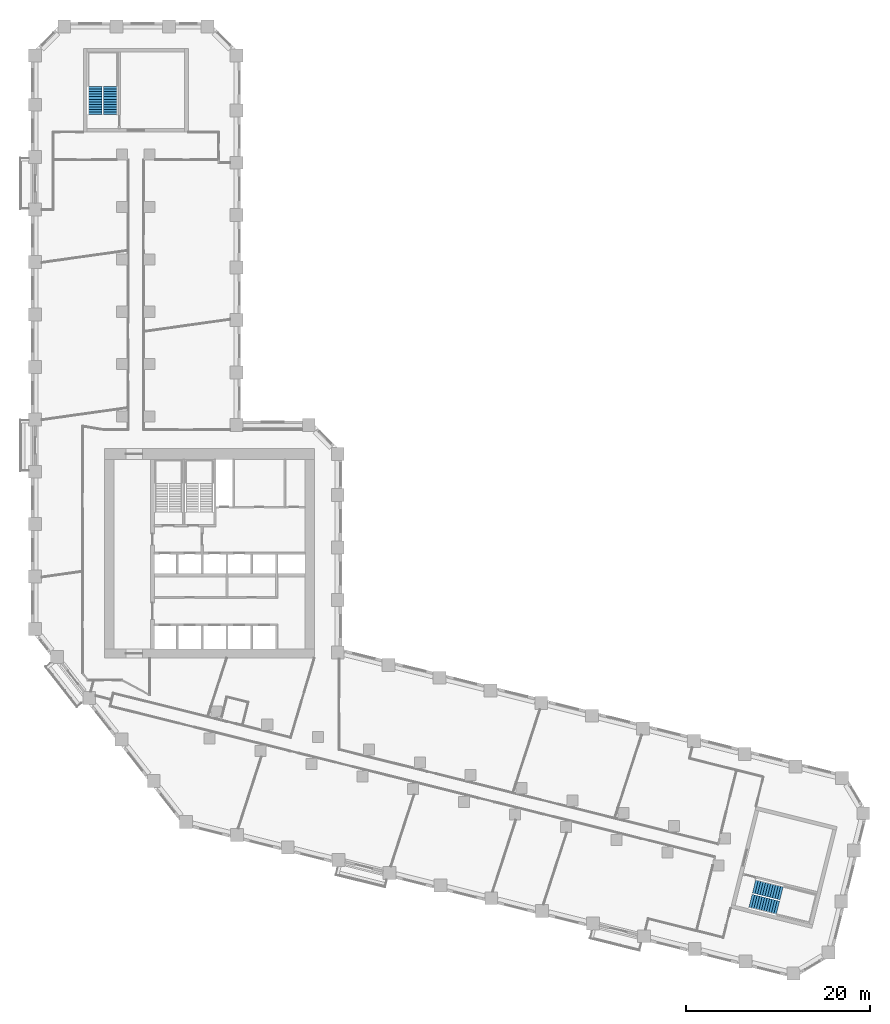
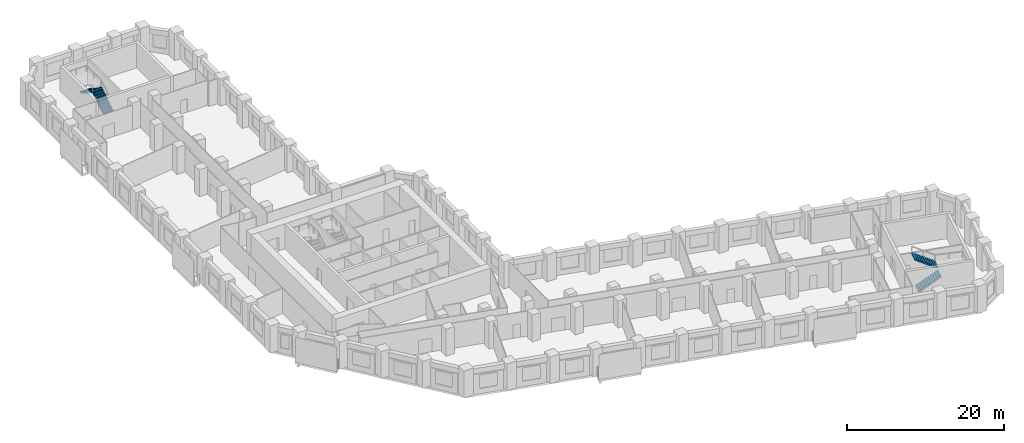
# One storey, part 11 of 12: 4 stair flights, 2 elements without a shape of their own.
"""IFC4 building model written with IfcOpenShell, lengths in metres."""

from ifc_helpers import new_model, si_unit, direction, frame, origin, place, context, subcontext, project, spatial, polyline, outline, extrude, material, type_object, element, aggregate, save


model = new_model("IFC4")

# Units and contexts
model_context = context("Model", 3, precision=1e-05, world=origin(), true_north=direction((0.0, 1.0)))
body_context = subcontext(model_context, "Body", "Model", "MODEL_VIEW")
ifc_project = project(units=[si_unit("LENGTHUNIT", "METRE"), si_unit("AREAUNIT", "SQUARE_METRE"), si_unit("VOLUMEUNIT", "CUBIC_METRE"), si_unit("PLANEANGLEUNIT", "RADIAN"), si_unit("MASSUNIT", "GRAM", prefix="KILO")], contexts=[model_context])

# Site, building, storey
site_placement = place(None, origin())
site = spatial("IfcSite", under=ifc_project, at=site_placement, CompositionType="ELEMENT")
building_placement = place(site_placement, origin())
building = spatial("IfcBuilding", under=site, at=building_placement, Name="Meshkara Civic Tower", CompositionType="ELEMENT")
storey_placement = place(building_placement, frame((0.0, 0.0, 58.199951171875)))
storey = spatial("IfcBuildingStorey", under=building, at=storey_placement, Name="L12", CompositionType="ELEMENT", Elevation=58.199951171875)

# Stair, stair flights
ifc_material_1 = material(Name="Precast concrete C40/50", Category="concrete")
stair_type = type_object("IfcStairType", Name="Exit stair half-turn 24 risers 1500 precast", PredefinedType="HALF_TURN_STAIR", material=ifc_material_1)
stair_1_placement = place(storey_placement, origin())
stair_1 = element("IfcStair", 1, at=stair_1_placement, inside=storey, type_object=stair_type, Name="L12 exit stair A from B2", PredefinedType="HALF_TURN_STAIR")
ifc_material_2 = material(Name="Precast concrete C40/50", Category="concrete")
stair_flight_type = type_object("IfcStairFlightType", Name="Exit stair flight 12 risers 1500 precast", PredefinedType="STRAIGHT", material=ifc_material_2)
stair_flight_1_placement = place(storey_placement, frame((8.625, 73.169921875, 0.0), z_axis=(0.0, 0.0, 1.0), x_axis=(0.0, 1.0, 0.0)))
stair_flight_1 = element("IfcStairFlight", 2, at=stair_flight_1_placement, type_object=stair_flight_type, Name="ESA1 flight 1", NumberOfRisers=12, NumberOfTreads=11, PredefinedType="STRAIGHT", RiserHeight=0.175, TreadLength=0.28, context=body_context, shape_type="SweptSolid", body=[
    extrude(outline(polyline([(0.0, 0.0), (0.0, 0.175048828125), (0.280029296875, 0.175048828125), (0.280029296875, 0.35009765625), (0.56005859375, 0.35009765625), (0.56005859375, 0.52490234375), (0.840087890625, 0.52490234375), (0.840087890625, 0.699951171875), (1.1201171875, 0.699951171875), (1.1201171875, 0.875), (1.39990234375, 0.875), (1.39990234375, 1.050048828125), (1.679931640625, 1.050048828125), (1.679931640625, 1.22509765625), (1.9599609375, 1.22509765625), (1.9599609375, 1.39990234375), (2.239990234375, 1.39990234375), (2.239990234375, 1.574951171875), (2.52001953125, 1.574951171875), (2.52001953125, 1.75), (2.800048828125, 1.75), (2.800048828125, 1.925048828125), (3.080078125, 1.925048828125), (3.080078125, 2.10009765625), (3.080078125, 1.748291015625), (0.28271484375, 0.0), (0.0, 0.0)])), frame((0.0, 0.75, 0.0), z_axis=(0.0, -1.0, 0.0), x_axis=(1.0, 0.0, 0.0)), (0.0, 0.0, 1.0), 1.5),
])
stair_flight_2_placement = place(storey_placement, frame((6.97509765625, 76.25, 2.10009765625), z_axis=(0.0, 0.0, 1.0), x_axis=(0.0, -1.0, 0.0)))
stair_flight_2 = element("IfcStairFlight", 3, at=stair_flight_2_placement, type_object=stair_flight_type, Name="ESA1 flight 2", NumberOfRisers=12, NumberOfTreads=11, PredefinedType="STRAIGHT", RiserHeight=0.175, TreadLength=0.28, context=body_context, shape_type="SweptSolid", body=[
    extrude(outline(polyline([(0.0, 0.0), (0.0, 0.175048828125), (0.280029296875, 0.175048828125), (0.280029296875, 0.35009765625), (0.56005859375, 0.35009765625), (0.56005859375, 0.52490234375), (0.840087890625, 0.52490234375), (0.840087890625, 0.699951171875), (1.1201171875, 0.699951171875), (1.1201171875, 0.875), (1.39990234375, 0.875), (1.39990234375, 1.050048828125), (1.679931640625, 1.050048828125), (1.679931640625, 1.22509765625), (1.9599609375, 1.22509765625), (1.9599609375, 1.39990234375), (2.239990234375, 1.39990234375), (2.239990234375, 1.574951171875), (2.52001953125, 1.574951171875), (2.52001953125, 1.75), (2.800048828125, 1.75), (2.800048828125, 1.925048828125), (3.080078125, 1.925048828125), (3.080078125, 2.10009765625), (3.080078125, 1.748291015625), (0.28271484375, 0.0), (0.0, 0.0)])), frame((0.0, 0.75, 0.0), z_axis=(0.0, -1.0, 0.0), x_axis=(1.0, 0.0, 0.0)), (0.0, 0.0, 1.0), 1.5),
])
aggregate(stair_1, [stair_flight_1, stair_flight_2])

stair_2_placement = place(storey_placement, origin())
stair_2 = element("IfcStair", 4, at=stair_2_placement, inside=storey, type_object=stair_type, Name="L12 exit stair B from B2", PredefinedType="HALF_TURN_STAIR")
stair_flight_3_placement = place(storey_placement, frame((78.214599609375, -12.3125, 0.0), z_axis=(0.0, 0.0, 1.0), x_axis=(0.970260066579, -0.242064873955, 0.0)))
stair_flight_3 = element("IfcStairFlight", 5, at=stair_flight_3_placement, type_object=stair_flight_type, Name="ESB1 flight 1", NumberOfRisers=12, NumberOfTreads=11, PredefinedType="STRAIGHT", RiserHeight=0.175, TreadLength=0.28, context=body_context, shape_type="SweptSolid", body=[
    extrude(outline(polyline([(0.0, 0.0), (0.0, 0.175048828125), (0.280029296875, 0.175048828125), (0.280029296875, 0.35009765625), (0.56005859375, 0.35009765625), (0.56005859375, 0.52490234375), (0.840087890625, 0.52490234375), (0.840087890625, 0.699951171875), (1.1201171875, 0.699951171875), (1.1201171875, 0.875), (1.39990234375, 0.875), (1.39990234375, 1.050048828125), (1.679931640625, 1.050048828125), (1.679931640625, 1.22509765625), (1.9599609375, 1.22509765625), (1.9599609375, 1.39990234375), (2.239990234375, 1.39990234375), (2.239990234375, 1.574951171875), (2.52001953125, 1.574951171875), (2.52001953125, 1.75), (2.800048828125, 1.75), (2.800048828125, 1.925048828125), (3.080078125, 1.925048828125), (3.080078125, 2.10009765625), (3.080078125, 1.748291015625), (0.28271484375, 0.0), (0.0, 0.0)])), frame((0.0, 0.75, 0.0), z_axis=(0.0, -1.0, 0.0), x_axis=(1.0, 0.0, 0.0)), (0.0, 0.0, 1.0), 1.5),
])
stair_flight_4_placement = place(storey_placement, frame((81.6025390625, -11.457275390625, 2.10009765625), z_axis=(0.0, 0.0, 1.0), x_axis=(-0.970260066579, 0.242064873955, 0.0)))
stair_flight_4 = element("IfcStairFlight", 6, at=stair_flight_4_placement, type_object=stair_flight_type, Name="ESB1 flight 2", NumberOfRisers=12, NumberOfTreads=11, PredefinedType="STRAIGHT", RiserHeight=0.175, TreadLength=0.28, context=body_context, shape_type="SweptSolid", body=[
    extrude(outline(polyline([(0.0, 0.0), (0.0, 0.175048828125), (0.280029296875, 0.175048828125), (0.280029296875, 0.35009765625), (0.56005859375, 0.35009765625), (0.56005859375, 0.52490234375), (0.840087890625, 0.52490234375), (0.840087890625, 0.699951171875), (1.1201171875, 0.699951171875), (1.1201171875, 0.875), (1.39990234375, 0.875), (1.39990234375, 1.050048828125), (1.679931640625, 1.050048828125), (1.679931640625, 1.22509765625), (1.9599609375, 1.22509765625), (1.9599609375, 1.39990234375), (2.239990234375, 1.39990234375), (2.239990234375, 1.574951171875), (2.52001953125, 1.574951171875), (2.52001953125, 1.75), (2.800048828125, 1.75), (2.800048828125, 1.925048828125), (3.080078125, 1.925048828125), (3.080078125, 2.10009765625), (3.080078125, 1.748291015625), (0.28271484375, 0.0), (0.0, 0.0)])), frame((0.0, 0.75, 0.0), z_axis=(0.0, -1.0, 0.0), x_axis=(1.0, 0.0, 0.0)), (0.0, 0.0, 1.0), 1.5),
])
aggregate(stair_2, [stair_flight_3, stair_flight_4])

save(model, "model.ifc")
